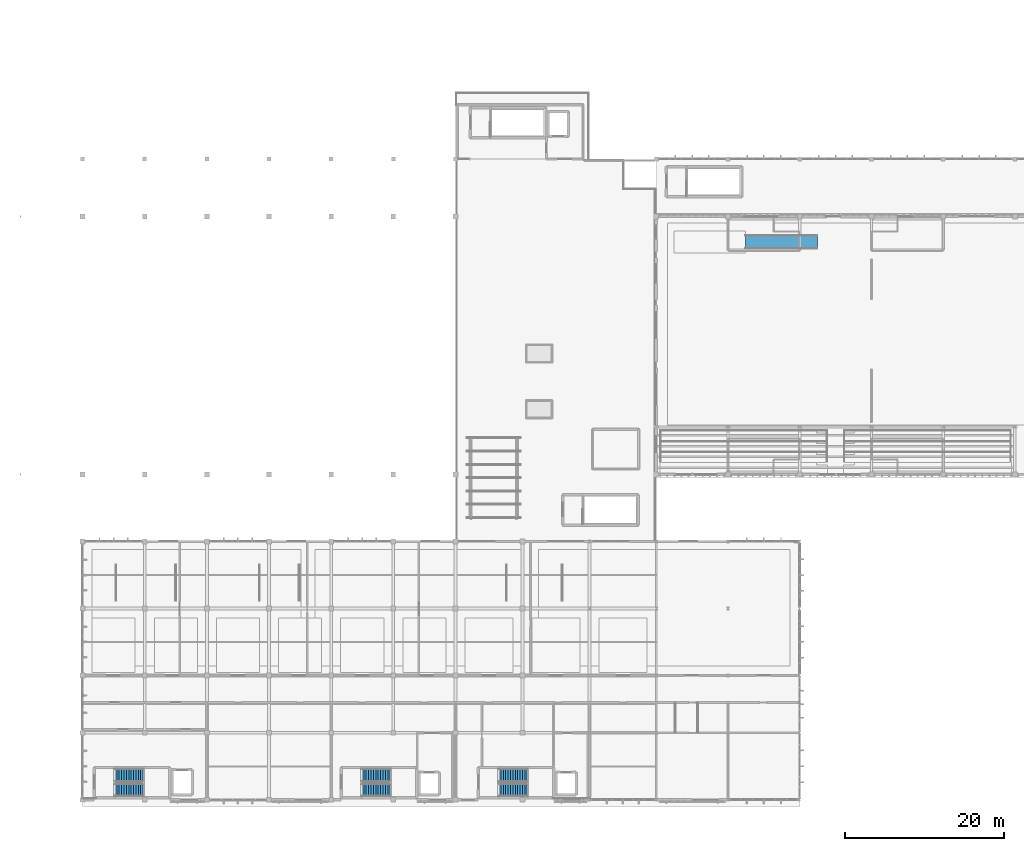
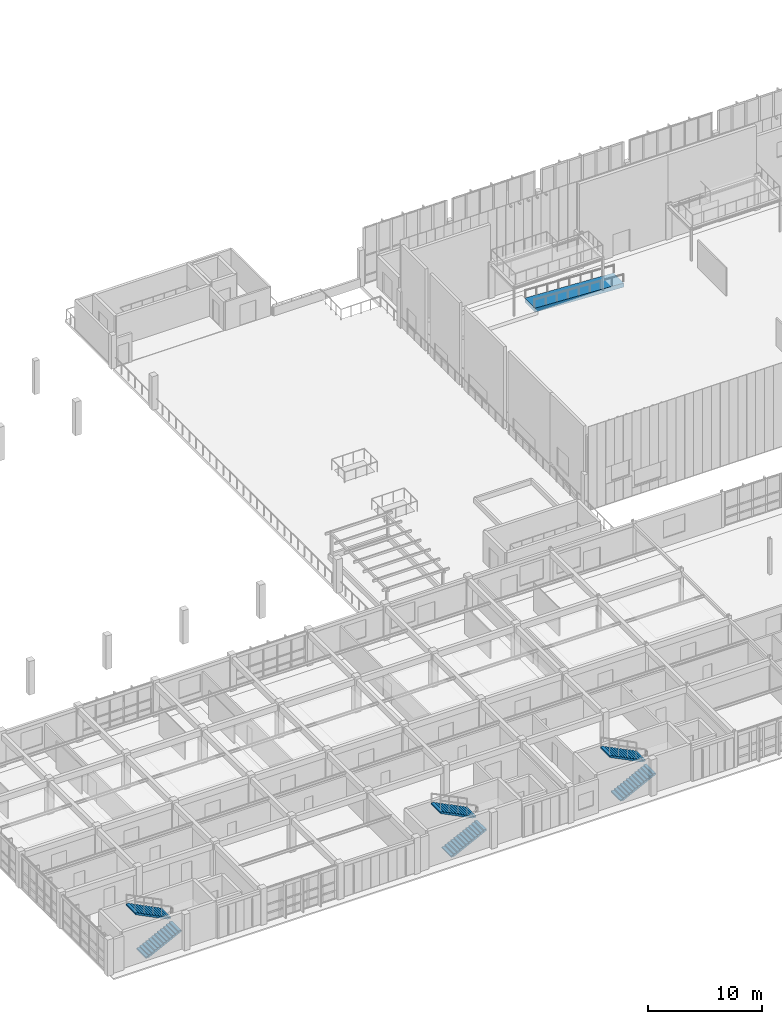
# One storey, part 48 of 67: 6 stair flights, 1 ramp flight, 4 elements without a shape of their own.
"""IFC4 building model written with IfcOpenShell, lengths in metres."""

from ifc_helpers import new_model, si_unit, direction, frame, origin, place, context, subcontext, project, spatial, polyline, outline, extrude, material, layer, layer_set, type_object, element, aggregate, save


model = new_model("IFC4")

# Units and contexts
model_context = context("Model", 3, precision=1e-05, world=origin(), true_north=direction((0.0, 1.0)))
body_context = subcontext(model_context, "Body", "Model", "MODEL_VIEW")
ifc_project = project(units=[si_unit("LENGTHUNIT", "METRE"), si_unit("AREAUNIT", "SQUARE_METRE"), si_unit("VOLUMEUNIT", "CUBIC_METRE"), si_unit("PLANEANGLEUNIT", "RADIAN"), si_unit("MASSUNIT", "GRAM", prefix="KILO")], contexts=[model_context])

# Site, building, storey
site_placement = place(None, origin())
site = spatial("IfcSite", under=ifc_project, at=site_placement, CompositionType="ELEMENT")
building_placement = place(site_placement, origin())
building = spatial("IfcBuilding", under=site, at=building_placement, Name="Tizgana Railside Sports Hall", CompositionType="ELEMENT")
storey_placement = place(building_placement, frame((0.0, 0.0, 12.0)))
storey = spatial("IfcBuildingStorey", under=building, at=storey_placement, Name="L02", CompositionType="ELEMENT", Elevation=12.0)

# Stair, stair flights
ifc_material = material(Name="Concrete C35/45", Category="concrete")
stair_type_1 = type_object("IfcStairType", Name="Core Protected Stair 1500", PredefinedType="HALF_TURN_STAIR", material=ifc_material)
stair_1_placement = place(storey_placement, origin())
stair_1 = element("IfcStair", 1, at=stair_1_placement, inside=storey, type_object=stair_type_1, Name="L02 Core Stair ST-01", PredefinedType="HALF_TURN_STAIR")
stair_flight_type_1 = type_object("IfcStairFlightType", Name="Core Stair Flight 1500", PredefinedType="STRAIGHT", material=ifc_material)
stair_flight_1_placement = place(storey_placement, frame((11.800048828125, 1.22509765625, 0.0), z_axis=(0.0, 0.0, 1.0), x_axis=(1.0, 0.0, 0.0)))
stair_flight_1 = element("IfcStairFlight", 2, at=stair_flight_1_placement, type_object=stair_flight_type_1, Name="ST-01 flight 1", NumberOfRisers=13, NumberOfTreads=12, PredefinedType="STRAIGHT", RiserHeight=0.15, TreadLength=0.3, context=body_context, shape_type="SweptSolid", body=[
    extrude(outline(polyline([(0.0, 0.0), (0.0, 0.14990234375), (0.300048828125, 0.14990234375), (0.300048828125, 0.300048828125), (0.60009765625, 0.300048828125), (0.60009765625, 0.449951171875), (0.89990234375, 0.449951171875), (0.89990234375, 0.60009765625), (1.199951171875, 0.60009765625), (1.199951171875, 0.75), (1.5, 0.75), (1.5, 0.89990234375), (1.800048828125, 0.89990234375), (1.800048828125, 1.050048828125), (2.10009765625, 1.050048828125), (2.10009765625, 1.199951171875), (2.39990234375, 1.199951171875), (2.39990234375, 1.35009765625), (2.699951171875, 1.35009765625), (2.699951171875, 1.5), (3.0, 1.5), (3.0, 1.64990234375), (3.300048828125, 1.64990234375), (3.300048828125, 1.800048828125), (3.60009765625, 1.800048828125), (3.60009765625, 1.949951171875), (3.60009765625, 1.63232421875), (0.335205078125, 0.0), (0.0, 0.0)])), frame((0.0, 0.824951171875, 0.0), z_axis=(0.0, -1.0, 0.0), x_axis=(1.0, 0.0, 0.0)), (0.0, 0.0, 1.0), 1.64990234375),
])
stair_flight_2_placement = place(storey_placement, frame((15.39990234375, 3.074951171875, 1.949951171875), z_axis=(0.0, 0.0, 1.0), x_axis=(-1.0, 0.0, 0.0)))
stair_flight_2 = element("IfcStairFlight", 3, at=stair_flight_2_placement, type_object=stair_flight_type_1, Name="ST-01 flight 2", NumberOfRisers=13, NumberOfTreads=12, PredefinedType="STRAIGHT", RiserHeight=0.15, TreadLength=0.3, context=body_context, shape_type="SweptSolid", body=[
    extrude(outline(polyline([(0.0, 0.0), (0.0, 0.14990234375), (0.300048828125, 0.14990234375), (0.300048828125, 0.300048828125), (0.60009765625, 0.300048828125), (0.60009765625, 0.449951171875), (0.89990234375, 0.449951171875), (0.89990234375, 0.60009765625), (1.199951171875, 0.60009765625), (1.199951171875, 0.75), (1.5, 0.75), (1.5, 0.89990234375), (1.800048828125, 0.89990234375), (1.800048828125, 1.050048828125), (2.10009765625, 1.050048828125), (2.10009765625, 1.199951171875), (2.39990234375, 1.199951171875), (2.39990234375, 1.35009765625), (2.699951171875, 1.35009765625), (2.699951171875, 1.5), (3.0, 1.5), (3.0, 1.64990234375), (3.300048828125, 1.64990234375), (3.300048828125, 1.800048828125), (3.60009765625, 1.800048828125), (3.60009765625, 1.949951171875), (3.60009765625, 1.63232421875), (0.335205078125, 0.0), (0.0, 0.0)])), frame((0.0, 0.824951171875, 0.0), z_axis=(0.0, -1.0, 0.0), x_axis=(1.0, 0.0, 0.0)), (0.0, 0.0, 1.0), 1.64990234375),
])
aggregate(stair_1, [stair_flight_1, stair_flight_2])

stair_type_2 = type_object("IfcStairType", Name="Spectator Aisle Stair 1400", PredefinedType="HALF_TURN_STAIR", material=ifc_material)
stair_2_placement = place(storey_placement, origin())
stair_2 = element("IfcStair", 4, at=stair_2_placement, inside=storey, type_object=stair_type_2, Name="L02 Core Stair ST-03", PredefinedType="HALF_TURN_STAIR")
stair_flight_type_2 = type_object("IfcStairFlightType", Name="Spectator Stair Flight 1400", PredefinedType="STRAIGHT", material=ifc_material)
stair_flight_3_placement = place(storey_placement, frame((60.0, 1.22509765625, 0.0), z_axis=(0.0, 0.0, 1.0), x_axis=(1.0, 0.0, 0.0)))
stair_flight_3 = element("IfcStairFlight", 5, at=stair_flight_3_placement, type_object=stair_flight_type_2, Name="ST-03 flight 1", NumberOfRisers=13, NumberOfTreads=12, PredefinedType="STRAIGHT", RiserHeight=0.15, TreadLength=0.3, context=body_context, shape_type="SweptSolid", body=[
    extrude(outline(polyline([(0.0, 0.0), (0.0, 0.14990234375), (0.300048828125, 0.14990234375), (0.300048828125, 0.300048828125), (0.60009765625, 0.300048828125), (0.60009765625, 0.449951171875), (0.89990234375, 0.449951171875), (0.89990234375, 0.60009765625), (1.199951171875, 0.60009765625), (1.199951171875, 0.75), (1.5, 0.75), (1.5, 0.89990234375), (1.800048828125, 0.89990234375), (1.800048828125, 1.050048828125), (2.10009765625, 1.050048828125), (2.10009765625, 1.199951171875), (2.39990234375, 1.199951171875), (2.39990234375, 1.35009765625), (2.699951171875, 1.35009765625), (2.699951171875, 1.5), (3.0, 1.5), (3.0, 1.64990234375), (3.300048828125, 1.64990234375), (3.300048828125, 1.800048828125), (3.60009765625, 1.800048828125), (3.60009765625, 1.949951171875), (3.60009765625, 1.63232421875), (0.335205078125, 0.0), (0.0, 0.0)])), frame((0.0, 0.824951171875, 0.0), z_axis=(0.0, -1.0, 0.0), x_axis=(1.0, 0.0, 0.0)), (0.0, 0.0, 1.0), 1.64990234375),
])
stair_flight_4_placement = place(storey_placement, frame((63.60009765625, 3.074951171875, 1.949951171875), z_axis=(0.0, 0.0, 1.0), x_axis=(-1.0, 0.0, 0.0)))
stair_flight_4 = element("IfcStairFlight", 6, at=stair_flight_4_placement, type_object=stair_flight_type_2, Name="ST-03 flight 2", NumberOfRisers=13, NumberOfTreads=12, PredefinedType="STRAIGHT", RiserHeight=0.15, TreadLength=0.3, context=body_context, shape_type="SweptSolid", body=[
    extrude(outline(polyline([(0.0, 0.0), (0.0, 0.14990234375), (0.300048828125, 0.14990234375), (0.300048828125, 0.300048828125), (0.60009765625, 0.300048828125), (0.60009765625, 0.449951171875), (0.89990234375, 0.449951171875), (0.89990234375, 0.60009765625), (1.199951171875, 0.60009765625), (1.199951171875, 0.75), (1.5, 0.75), (1.5, 0.89990234375), (1.800048828125, 0.89990234375), (1.800048828125, 1.050048828125), (2.10009765625, 1.050048828125), (2.10009765625, 1.199951171875), (2.39990234375, 1.199951171875), (2.39990234375, 1.35009765625), (2.699951171875, 1.35009765625), (2.699951171875, 1.5), (3.0, 1.5), (3.0, 1.64990234375), (3.300048828125, 1.64990234375), (3.300048828125, 1.800048828125), (3.60009765625, 1.800048828125), (3.60009765625, 1.949951171875), (3.60009765625, 1.63232421875), (0.335205078125, 0.0), (0.0, 0.0)])), frame((0.0, 0.824951171875, 0.0), z_axis=(0.0, -1.0, 0.0), x_axis=(1.0, 0.0, 0.0)), (0.0, 0.0, 1.0), 1.64990234375),
])
aggregate(stair_2, [stair_flight_3, stair_flight_4])

stair_type_3 = type_object("IfcStairType", Name="Tournament Court Stair 1600", PredefinedType="HALF_TURN_STAIR", material=ifc_material)
stair_3_placement = place(storey_placement, origin())
stair_3 = element("IfcStair", 7, at=stair_3_placement, inside=storey, type_object=stair_type_3, Name="L02 Core Stair ST-02", PredefinedType="HALF_TURN_STAIR")
stair_flight_type_3 = type_object("IfcStairFlightType", Name="Tournament Stair Flight 1600", PredefinedType="STRAIGHT", material=ifc_material)
stair_flight_5_placement = place(storey_placement, frame((42.800048828125, 1.22509765625, 0.0), z_axis=(0.0, 0.0, 1.0), x_axis=(1.0, 0.0, 0.0)))
stair_flight_5 = element("IfcStairFlight", 8, at=stair_flight_5_placement, type_object=stair_flight_type_3, Name="ST-02 flight 1", NumberOfRisers=13, NumberOfTreads=12, PredefinedType="STRAIGHT", RiserHeight=0.15, TreadLength=0.3, context=body_context, shape_type="SweptSolid", body=[
    extrude(outline(polyline([(0.0, 0.0), (0.0, 0.14990234375), (0.300048828125, 0.14990234375), (0.300048828125, 0.300048828125), (0.60009765625, 0.300048828125), (0.60009765625, 0.449951171875), (0.89990234375, 0.449951171875), (0.89990234375, 0.60009765625), (1.199951171875, 0.60009765625), (1.199951171875, 0.75), (1.5, 0.75), (1.5, 0.89990234375), (1.800048828125, 0.89990234375), (1.800048828125, 1.050048828125), (2.10009765625, 1.050048828125), (2.10009765625, 1.199951171875), (2.39990234375, 1.199951171875), (2.39990234375, 1.35009765625), (2.699951171875, 1.35009765625), (2.699951171875, 1.5), (3.0, 1.5), (3.0, 1.64990234375), (3.300048828125, 1.64990234375), (3.300048828125, 1.800048828125), (3.60009765625, 1.800048828125), (3.60009765625, 1.949951171875), (3.60009765625, 1.63232421875), (0.335205078125, 0.0), (0.0, 0.0)])), frame((0.0, 0.824951171875, 0.0), z_axis=(0.0, -1.0, 0.0), x_axis=(1.0, 0.0, 0.0)), (0.0, 0.0, 1.0), 1.64990234375),
])
stair_flight_6_placement = place(storey_placement, frame((46.39990234375, 3.074951171875, 1.949951171875), z_axis=(0.0, 0.0, 1.0), x_axis=(-1.0, 0.0, 0.0)))
stair_flight_6 = element("IfcStairFlight", 9, at=stair_flight_6_placement, type_object=stair_flight_type_3, Name="ST-02 flight 2", NumberOfRisers=13, NumberOfTreads=12, PredefinedType="STRAIGHT", RiserHeight=0.15, TreadLength=0.3, context=body_context, shape_type="SweptSolid", body=[
    extrude(outline(polyline([(0.0, 0.0), (0.0, 0.14990234375), (0.300048828125, 0.14990234375), (0.300048828125, 0.300048828125), (0.60009765625, 0.300048828125), (0.60009765625, 0.449951171875), (0.89990234375, 0.449951171875), (0.89990234375, 0.60009765625), (1.199951171875, 0.60009765625), (1.199951171875, 0.75), (1.5, 0.75), (1.5, 0.89990234375), (1.800048828125, 0.89990234375), (1.800048828125, 1.050048828125), (2.10009765625, 1.050048828125), (2.10009765625, 1.199951171875), (2.39990234375, 1.199951171875), (2.39990234375, 1.35009765625), (2.699951171875, 1.35009765625), (2.699951171875, 1.5), (3.0, 1.5), (3.0, 1.64990234375), (3.300048828125, 1.64990234375), (3.300048828125, 1.800048828125), (3.60009765625, 1.800048828125), (3.60009765625, 1.949951171875), (3.60009765625, 1.63232421875), (0.335205078125, 0.0), (0.0, 0.0)])), frame((0.0, 0.824951171875, 0.0), z_axis=(0.0, -1.0, 0.0), x_axis=(1.0, 0.0, 0.0)), (0.0, 0.0, 1.0), 1.64990234375),
])
aggregate(stair_3, [stair_flight_5, stair_flight_6])

# Ramp, ramp flight
ramp_type = type_object("IfcRampType", Name="Accessible Foyer Ramp 1800", PredefinedType="STRAIGHT_RUN_RAMP", material=ifc_material)
ramp_placement = place(storey_placement, origin())
ramp = element("IfcRamp", 10, at=ramp_placement, inside=storey, type_object=ramp_type, Name="L02 Accessible Ramp 3", PredefinedType="STRAIGHT_RUN_RAMP")
ifc_layer = layer(ifc_material, 0.219970703125, Name="Concrete C35/45")
ifc_layer_set = layer_set([ifc_layer], Name="Concrete C35/45")
ramp_flight_type = type_object("IfcRampFlightType", Name="Accessible Ramp Flight 1800", PredefinedType="STRAIGHT", material=ifc_layer_set)
ramp_flight_placement = place(storey_placement, frame((100.0, 70.0, 0.0), z_axis=(0.0, 0.0, 1.0), x_axis=(-1.0, 0.0, 0.0)))
ramp_flight = element("IfcRampFlight", 11, at=ramp_flight_placement, type_object=ramp_flight_type, Name="L02 Accessible Ramp Flight 3", PredefinedType="STRAIGHT", context=body_context, shape_type="SweptSolid", body=[
    extrude(outline(polyline([(0.0, 0.0), (9.0, 0.449951171875), (9.0, 0.0), (0.0, -0.449951171875), (0.0, 0.0)])), frame((0.0, 0.89990234375, 0.0), z_axis=(0.0, -1.0, 0.0), x_axis=(1.0, 0.0, 0.0)), (0.0, 0.0, 1.0), 1.800048828125),
])
aggregate(ramp, [ramp_flight])

save(model, "model.ifc")
